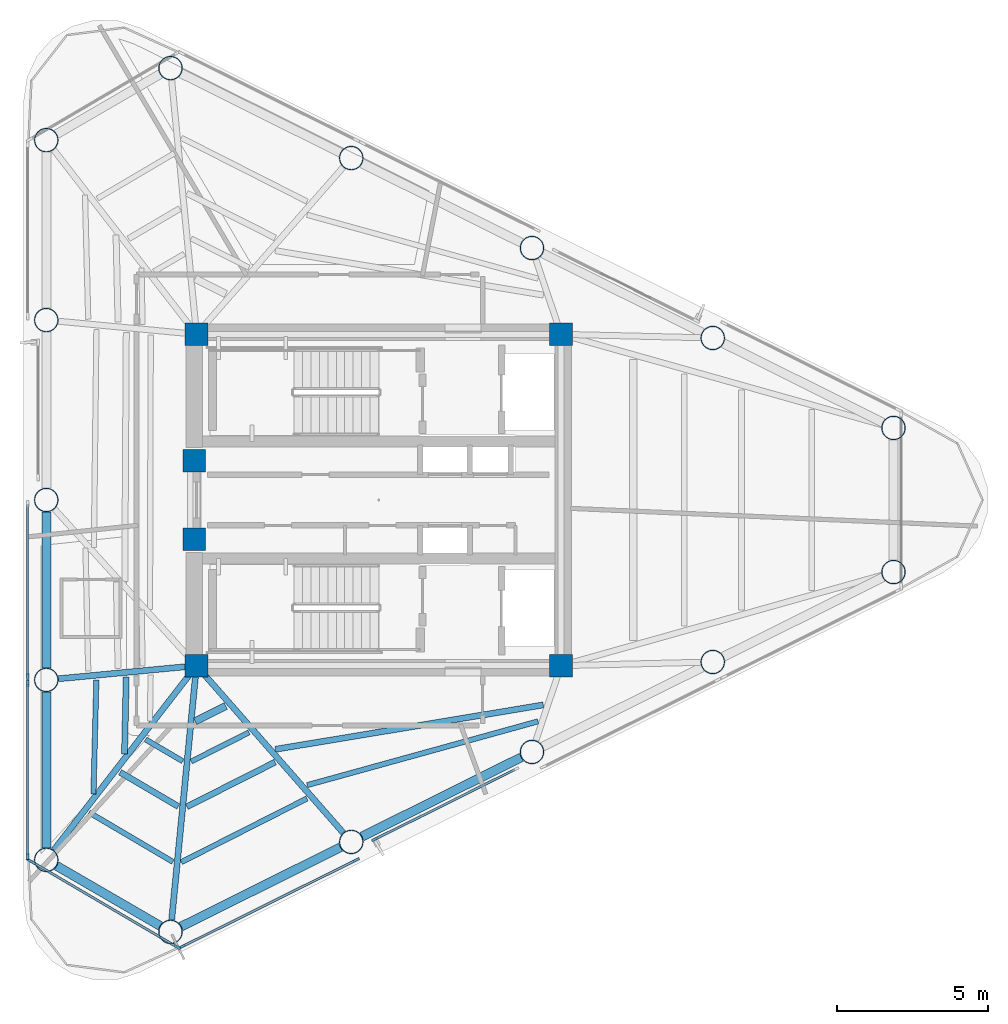
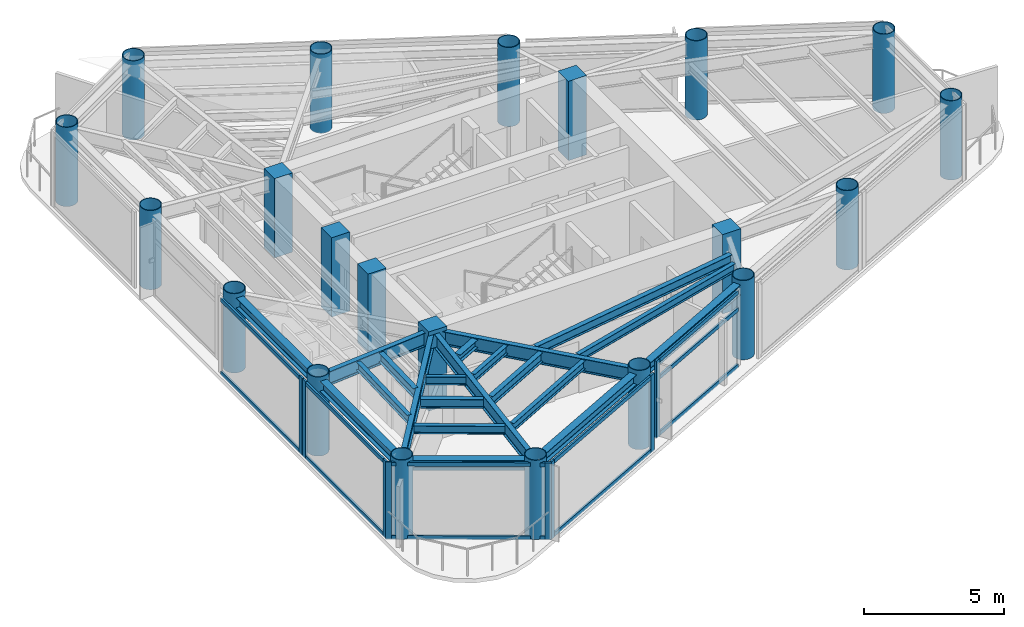
# One storey, part 1 of 10: 21 columns, 20 beams, 19 members, 5 elements without a shape of their own.
"""IFC4 building model written with IfcOpenShell, lengths in metres."""

from ifc_helpers import new_model, si_unit, direction, frame, origin, origin_2d, place, context, subcontext, project, spatial, rectangle, hollow_circle, i_section, extrude, source, transform, mapped, material, layer, layer_set, material_profile, profile_set, type_object, element, aggregate, save


model = new_model("IFC4")

# Units and contexts
model_context = context("Model", 3, precision=1e-05, world=origin(), true_north=direction((0.0, 1.0)))
body_context = subcontext(model_context, "Body", "Model", "MODEL_VIEW")
ifc_project = project(units=[si_unit("LENGTHUNIT", "METRE"), si_unit("AREAUNIT", "SQUARE_METRE"), si_unit("VOLUMEUNIT", "CUBIC_METRE"), si_unit("PLANEANGLEUNIT", "RADIAN"), si_unit("MASSUNIT", "GRAM", prefix="KILO")], contexts=[model_context])

# Site, building, storey
site_placement = place(None, origin())
site = spatial("IfcSite", under=ifc_project, at=site_placement, CompositionType="ELEMENT")
building_placement = place(site_placement, origin())
building = spatial("IfcBuilding", under=site, at=building_placement, Name="Yunling Apex Tower", CompositionType="ELEMENT")
storey_placement = place(building_placement, frame((0.0, 0.0, 310.550048828125)))
storey = spatial("IfcBuildingStorey", under=building, at=storey_placement, Name="L76", CompositionType="ELEMENT", Elevation=310.550048828125)

# Columns
ifc_material_1 = material(Name="Concrete C50", Category="concrete")
ifc_material_profile_1 = material_profile(ifc_material_1, rectangle(XDim=0.75, YDim=0.75, at=origin_2d()))
ifc_profile_set_1 = profile_set([ifc_material_profile_1], Name="Concrete C50")
column_type_1 = type_object("IfcColumnType", Name="PC-SRC-4", PredefinedType="COLUMN", material=ifc_profile_set_1)
shared_shape_1 = source(origin(), body_context, "Body", "SweptSolid", [
    extrude(rectangle(XDim=0.75, YDim=0.75, at=origin_2d()), origin(), (0.0, 0.0, 1.0), 3.449951171875),
])
for number, where, z_axis, x_axis, name in (
    (1, (-6.050048828125, -5.5, 0.0), (0.0, 0.0, 1.0), (1.0, 0.0, 0.0), "L76 Core Spine Column CC-SW"),
    (2, (6.050048828125, -5.5, 0.0), (0.0, 0.0, 1.0), (1.0, 0.0, 0.0), "L76 Core Spine Column CC-SE"),
    (3, (6.050048828125, 5.5, 0.0), (0.0, 0.0, 1.0), (1.0, 0.0, 0.0), "L76 Core Spine Column CC-NE"),
    (4, (-6.050048828125, 5.5, 0.0), (0.0, 0.0, 1.0), (1.0, 0.0, 0.0), "L76 Core Spine Column CC-NW"),
    (5, (-6.125, -1.300048828125, 0.0), (0.0, 0.0, 1.0), (1.0, 0.0, 0.0), "L76 Core West Portal Jamb Column S"),
    (6, (-6.125, 1.300048828125, 0.0), (0.0, 0.0, 1.0), (1.0, 0.0, 0.0), "L76 Core West Portal Jamb Column N"),
):
    element("IfcColumn", number, at=place(storey_placement, frame(where, z_axis=z_axis, x_axis=x_axis)), inside=storey, type_object=column_type_1, Name=name, PredefinedType="COLUMN", context=body_context, shape_type="MappedRepresentation", body=[
        mapped(shared_shape_1, transform((0.0, 0.0, 0.0), scale=1.0)),
    ])
ifc_material_2 = material(Name="Steel Q355B", Category="steel")
ifc_material_profile_2 = material_profile(ifc_material_2, hollow_circle(Radius=0.39990234375, WallThickness=0.028076171875, at=origin_2d()))
ifc_profile_set_2 = profile_set([ifc_material_profile_2], Name="Steel Q355B")
column_type_2 = type_object("IfcColumnType", Name="MC-CFST-7", PredefinedType="COLUMN", material=ifc_profile_set_2)
shared_shape_2 = source(origin(), body_context, "Body", "SweptSolid", [
    extrude(hollow_circle(Radius=0.39990234375, WallThickness=0.028076171875, at=origin_2d()), origin(), (0.0, 0.0, 1.0), 3.449951171875),
])
for number, where, z_axis, x_axis, name in (
    (7, (-6.9140625, -14.336669921875, 0.0), (0.0, 0.0, 1.0), (1.0, 0.0, 0.0), "L76 Perimeter CFST Mega-Column P01"),
    (8, (-0.913818359375, -11.350341796875, 0.0), (0.0, 0.0, 1.0), (1.0, 0.0, 0.0), "L76 Perimeter CFST Mega-Column P02"),
    (9, (5.086181640625, -8.364013671875, 0.0), (0.0, 0.0, 1.0), (1.0, 0.0, 0.0), "L76 Perimeter CFST Mega-Column P03"),
    (10, (11.08642578125, -5.377685546875, 0.0), (0.0, 0.0, 1.0), (1.0, 0.0, 0.0), "L76 Perimeter CFST Mega-Column P04"),
    (11, (17.086669921875, -2.3916015625, 0.0), (0.0, 0.0, 1.0), (1.0, 0.0, 0.0), "L76 Perimeter CFST Mega-Column P05"),
    (12, (17.086669921875, 2.3916015625, 0.0), (0.0, 0.0, 1.0), (1.0, 0.0, 0.0), "L76 Perimeter CFST Mega-Column P06"),
    (13, (11.08642578125, 5.377685546875, 0.0), (0.0, 0.0, 1.0), (1.0, 0.0, 0.0), "L76 Perimeter CFST Mega-Column P07"),
    (14, (5.086181640625, 8.364013671875, 0.0), (0.0, 0.0, 1.0), (1.0, 0.0, 0.0), "L76 Perimeter CFST Mega-Column P08"),
    (15, (-0.913818359375, 11.350341796875, 0.0), (0.0, 0.0, 1.0), (1.0, 0.0, 0.0), "L76 Perimeter CFST Mega-Column P09"),
    (16, (-6.9140625, 14.336669921875, 0.0), (0.0, 0.0, 1.0), (1.0, 0.0, 0.0), "L76 Perimeter CFST Mega-Column P10"),
    (17, (-11.037353515625, 11.9453125, 0.0), (0.0, 0.0, 1.0), (1.0, 0.0, 0.0), "L76 Perimeter CFST Mega-Column P11"),
    (18, (-11.037353515625, 5.97265625, 0.0), (0.0, 0.0, 1.0), (1.0, 0.0, 0.0), "L76 Perimeter CFST Mega-Column P12"),
    (19, (-11.037353515625, 0.0, 0.0), (0.0, 0.0, 1.0), (1.0, 0.0, 0.0), "L76 Perimeter CFST Mega-Column P13"),
    (20, (-11.037353515625, -5.97265625, 0.0), (0.0, 0.0, 1.0), (1.0, 0.0, 0.0), "L76 Perimeter CFST Mega-Column P14"),
    (21, (-11.037353515625, -11.9453125, 0.0), (0.0, 0.0, 1.0), (1.0, 0.0, 0.0), "L76 Perimeter CFST Mega-Column P15"),
):
    element("IfcColumn", number, at=place(storey_placement, frame(where, z_axis=z_axis, x_axis=x_axis)), inside=storey, type_object=column_type_2, Name=name, PredefinedType="COLUMN", context=body_context, shape_type="MappedRepresentation", body=[
        mapped(shared_shape_2, transform((0.0, 0.0, 0.0), scale=1.0)),
    ])

# Beams
ifc_material_profile_3 = material_profile(ifc_material_2, i_section(OverallWidth=0.300048828125, OverallDepth=0.43994140625, WebThickness=0.010986328125, FlangeThickness=0.01806640625, FilletRadius=0.02197265625, at=origin_2d()))
ifc_profile_set_3 = profile_set([ifc_material_profile_3], Name="Steel Q355B")
beam_type_1 = type_object("IfcBeamType", Name="BP-SPN-3", PredefinedType="SPANDREL", material=ifc_profile_set_3)
shared_shape_3 = source(origin(), body_context, "Body", "SweptSolid", [
    extrude(i_section(OverallWidth=0.300048828125, OverallDepth=0.43994140625, WebThickness=0.010986328125, FlangeThickness=0.01806640625, FilletRadius=0.02197265625, at=origin_2d()), origin(), (0.0, 0.0, 1.0), 5.914306640625),
])
for number, where, z_axis, x_axis, name in (
    (22, (-6.561279296875, -14.1611328125, 3.050048828125), (0.895243044542, 0.445578153861, 0.0), (-0.445578153861, 0.895243044542, 0.0), "L76 Perimeter Spandrel Beam 1"),
    (23, (-0.561279296875, -11.1748046875, 3.050048828125), (0.895267705164, 0.445528602999, 0.0), (-0.445528602999, 0.895267705164, 0.0), "L76 Perimeter Spandrel Beam 2"),
):
    element("IfcBeam", number, at=place(storey_placement, frame(where, z_axis=z_axis, x_axis=x_axis)), inside=storey, type_object=beam_type_1, Name=name, PredefinedType="SPANDREL", context=body_context, shape_type="MappedRepresentation", body=[
        mapped(shared_shape_3, transform((0.0, 0.0, 0.0), scale=1.0)),
    ])
shared_shape_4 = source(origin(), body_context, "Body", "SweptSolid", [
    extrude(i_section(OverallWidth=0.300048828125, OverallDepth=0.43994140625, WebThickness=0.010986328125, FlangeThickness=0.01806640625, FilletRadius=0.02197265625, at=origin_2d()), origin(), (0.0, 0.0, 1.0), 3.978515625),
])
beam_1_placement = place(storey_placement, frame((-10.696533203125, -12.142822265625, 3.050048828125), z_axis=(0.86503811344, -0.501706151343, 0.0), x_axis=(0.501706151343, 0.86503811344, 0.0)))
element("IfcBeam", 24, at=beam_1_placement, inside=storey, type_object=beam_type_1, Name="L76 Perimeter Spandrel Beam 15", PredefinedType="SPANDREL", context=body_context, shape_type="MappedRepresentation", body=[
    mapped(shared_shape_4, transform((0.0, 0.0, 0.0), scale=1.0)),
])
shared_shape_5 = source(origin(), body_context, "Body", "SweptSolid", [
    extrude(i_section(OverallWidth=0.300048828125, OverallDepth=0.43994140625, WebThickness=0.010986328125, FlangeThickness=0.01806640625, FilletRadius=0.02197265625, at=origin_2d()), origin(), (0.0, 0.0, 1.0), 5.1845703125),
])
for number, where, z_axis, x_axis, name in (
    (25, (-11.037353515625, -0.39404296875, 3.050048828125), (0.0, -1.0, 0.0), (1.0, 0.0, 0.0), "L76 Perimeter Spandrel Beam 13"),
    (26, (-11.037353515625, -6.36669921875, 3.050048828125), (0.0, -1.0, 0.0), (1.0, 0.0, 0.0), "L76 Perimeter Spandrel Beam 14"),
):
    element("IfcBeam", number, at=place(storey_placement, frame(where, z_axis=z_axis, x_axis=x_axis)), inside=storey, type_object=beam_type_1, Name=name, PredefinedType="SPANDREL", context=body_context, shape_type="MappedRepresentation", body=[
        mapped(shared_shape_5, transform((0.0, 0.0, 0.0), scale=1.0)),
    ])
ifc_material_profile_4 = material_profile(ifc_material_2, i_section(OverallWidth=0.199951171875, OverallDepth=0.60009765625, WebThickness=0.010986328125, FlangeThickness=0.01708984375, FilletRadius=0.02197265625, at=origin_2d()))
ifc_profile_set_4 = profile_set([ifc_material_profile_4], Name="Steel Q355B")
beam_type_2 = type_object("IfcBeamType", Name="BG-PRI-5", PredefinedType="USERDEFINED", material=ifc_profile_set_4)
shared_shape_6 = source(origin(), body_context, "Body", "SweptSolid", [
    extrude(i_section(OverallWidth=0.199951171875, OverallDepth=0.60009765625, WebThickness=0.010986328125, FlangeThickness=0.01708984375, FilletRadius=0.02197265625, at=origin_2d()), origin(), (0.0, 0.0, 1.0), 8.390869140625),
])
beam_2_placement = place(storey_placement, frame((-6.874267578125, -13.9306640625, 2.969970703125), z_axis=(0.097296792844, 0.995255411491, 0.0), x_axis=(-0.995255411491, 0.097296792844, 0.0)))
element("IfcBeam", 27, at=beam_2_placement, inside=storey, type_object=beam_type_2, Name="L76 Radial Primary Girder R01", ObjectType="GIRDER", PredefinedType="USERDEFINED", context=body_context, shape_type="MappedRepresentation", body=[
    mapped(shared_shape_6, transform((0.0, 0.0, 0.0), scale=1.0)),
])
shared_shape_7 = source(origin(), body_context, "Body", "SweptSolid", [
    extrude(i_section(OverallWidth=0.199951171875, OverallDepth=0.60009765625, WebThickness=0.010986328125, FlangeThickness=0.01708984375, FilletRadius=0.02197265625, at=origin_2d()), origin(), (0.0, 0.0, 1.0), 7.297119140625),
])
beam_3_placement = place(storey_placement, frame((-1.18310546875, -11.043701171875, 2.969970703125), z_axis=(-0.659747259747, 0.751487560281, 0.0), x_axis=(-0.751487560281, -0.659747259747, 0.0)))
element("IfcBeam", 28, at=beam_3_placement, inside=storey, type_object=beam_type_2, Name="L76 Radial Primary Girder R02", ObjectType="GIRDER", PredefinedType="USERDEFINED", context=body_context, shape_type="MappedRepresentation", body=[
    mapped(shared_shape_7, transform((0.0, 0.0, 0.0), scale=1.0)),
])
shared_shape_8 = source(origin(), body_context, "Body", "SweptSolid", [
    extrude(i_section(OverallWidth=0.199951171875, OverallDepth=0.60009765625, WebThickness=0.010986328125, FlangeThickness=0.01708984375, FilletRadius=0.02197265625, at=origin_2d()), origin(), (0.0, 0.0, 1.0), 7.661376953125),
])
beam_4_placement = place(storey_placement, frame((-10.78759765625, -11.62255859375, 2.969970703125), z_axis=(0.611959789037, 0.790888877531, 0.0), x_axis=(-0.790888877531, 0.611959789037, 0.0)))
element("IfcBeam", 29, at=beam_4_placement, inside=storey, type_object=beam_type_2, Name="L76 Radial Primary Girder R15", ObjectType="GIRDER", PredefinedType="USERDEFINED", context=body_context, shape_type="MappedRepresentation", body=[
    mapped(shared_shape_8, transform((0.0, 0.0, 0.0), scale=1.0)),
])
shared_shape_9 = source(origin(), body_context, "Body", "SweptSolid", [
    extrude(i_section(OverallWidth=0.199951171875, OverallDepth=0.60009765625, WebThickness=0.010986328125, FlangeThickness=0.01708984375, FilletRadius=0.02197265625, at=origin_2d()), origin(), (0.0, 0.0, 1.0), 4.521728515625),
])
beam_5_placement = place(storey_placement, frame((-10.631103515625, -5.93408203125, 2.969970703125), z_axis=(0.99554122067, 0.094327503661, 0.0), x_axis=(-0.094327503661, 0.99554122067, 0.0)))
element("IfcBeam", 30, at=beam_5_placement, inside=storey, type_object=beam_type_2, Name="L76 Radial Primary Girder R14", ObjectType="GIRDER", PredefinedType="USERDEFINED", context=body_context, shape_type="MappedRepresentation", body=[
    mapped(shared_shape_9, transform((0.0, 0.0, 0.0), scale=1.0)),
])
ifc_material_profile_5 = material_profile(ifc_material_2, i_section(OverallWidth=0.199951171875, OverallDepth=0.39990234375, WebThickness=0.008056640625, FlangeThickness=0.012939453125, FilletRadius=0.01611328125, at=origin_2d()))
ifc_profile_set_5 = profile_set([ifc_material_profile_5], Name="Steel Q355B")
beam_type_3 = type_object("IfcBeamType", Name="BS-SEC-4", PredefinedType="BEAM", material=ifc_profile_set_5)
shared_shape_10 = source(origin(), body_context, "Body", "SweptSolid", [
    extrude(i_section(OverallWidth=0.199951171875, OverallDepth=0.39990234375, WebThickness=0.008056640625, FlangeThickness=0.012939453125, FilletRadius=0.01611328125, at=origin_2d()), origin(), (0.0, 0.0, 1.0), 3.281494140625),
])
beam_6_placement = place(storey_placement, frame((-6.372314453125, -10.18408203125, 3.070068359375), z_axis=(0.892364297468, 0.451315810275, 0.0), x_axis=(-0.451315810275, 0.892364297468, 0.0)))
element("IfcBeam", 31, at=beam_6_placement, inside=storey, type_object=beam_type_3, Name="L76 Composite Floor Beam BS-1", PredefinedType="BEAM", context=body_context, shape_type="MappedRepresentation", body=[
    mapped(shared_shape_10, transform((0.0, 0.0, 0.0), scale=1.0)),
])
ifc_material_profile_6 = material_profile(ifc_material_2, i_section(OverallWidth=0.175048828125, OverallDepth=0.35009765625, WebThickness=0.007080078125, FlangeThickness=0.010986328125, FilletRadius=0.013916015625, at=origin_2d()))
ifc_profile_set_6 = profile_set([ifc_material_profile_6], Name="Steel Q355B")
beam_type_4 = type_object("IfcBeamType", Name="BJ-JST-1", PredefinedType="JOIST", material=ifc_profile_set_6)
shared_shape_11 = source(origin(), body_context, "Body", "SweptSolid", [
    extrude(i_section(OverallWidth=0.175048828125, OverallDepth=0.35009765625, WebThickness=0.007080078125, FlangeThickness=0.010986328125, FilletRadius=0.013916015625, at=origin_2d()), origin(), (0.0, 0.0, 1.0), 4.67138671875),
])
beam_7_placement = place(storey_placement, frame((-6.552001953125, -12.02099609375, 3.094970703125), z_axis=(0.892031280848, 0.45197366515, 0.0), x_axis=(-0.45197366515, 0.892031280848, 0.0)))
element("IfcBeam", 32, at=beam_7_placement, inside=storey, type_object=beam_type_4, Name="L76 Composite Floor Joist BJ1-1", PredefinedType="JOIST", context=body_context, shape_type="MappedRepresentation", body=[
    mapped(shared_shape_11, transform((0.0, 0.0, 0.0), scale=1.0)),
])
shared_shape_12 = source(origin(), body_context, "Body", "SweptSolid", [
    extrude(i_section(OverallWidth=0.175048828125, OverallDepth=0.35009765625, WebThickness=0.007080078125, FlangeThickness=0.010986328125, FilletRadius=0.013916015625, at=origin_2d()), origin(), (0.0, 0.0, 1.0), 2.143798828125),
])
beam_8_placement = place(storey_placement, frame((-6.22509765625, -8.680908203125, 3.094970703125), z_axis=(0.892941835578, 0.45017205408, 0.0), x_axis=(-0.45017205408, 0.892941835578, 0.0)))
element("IfcBeam", 33, at=beam_8_placement, inside=storey, type_object=beam_type_4, Name="L76 Composite Floor Joist BJ3-1", PredefinedType="JOIST", context=body_context, shape_type="MappedRepresentation", body=[
    mapped(shared_shape_12, transform((0.0, 0.0, 0.0), scale=1.0)),
])
ifc_material_profile_7 = material_profile(ifc_material_2, i_section(OverallWidth=0.25, OverallDepth=0.340087890625, WebThickness=0.009033203125, FlangeThickness=0.013916015625, FilletRadius=0.01806640625, at=origin_2d()))
ifc_profile_set_7 = profile_set([ifc_material_profile_7], Name="Steel Q355B")
beam_type_5 = type_object("IfcBeamType", Name="BJ-JST-2", PredefinedType="JOIST", material=ifc_profile_set_7)
shared_shape_13 = source(origin(), body_context, "Body", "SweptSolid", [
    extrude(i_section(OverallWidth=0.25, OverallDepth=0.340087890625, WebThickness=0.009033203125, FlangeThickness=0.013916015625, FilletRadius=0.01806640625, at=origin_2d()), origin(), (0.0, 0.0, 1.0), 1.1328125),
])
beam_9_placement = place(storey_placement, frame((-6.09423828125, -7.34521484375, 3.099853515625), z_axis=(0.894211562533, 0.447644592765, 0.0), x_axis=(-0.447644592765, 0.894211562533, 0.0)))
element("IfcBeam", 34, at=beam_9_placement, inside=storey, type_object=beam_type_5, Name="L76 Composite Floor Joist BJ2-1", PredefinedType="JOIST", context=body_context, shape_type="MappedRepresentation", body=[
    mapped(shared_shape_13, transform((0.0, 0.0, 0.0), scale=1.0)),
])
shared_shape_14 = source(origin(), body_context, "Body", "SweptSolid", [
    extrude(i_section(OverallWidth=0.199951171875, OverallDepth=0.39990234375, WebThickness=0.008056640625, FlangeThickness=0.012939453125, FilletRadius=0.01611328125, at=origin_2d()), origin(), (0.0, 0.0, 1.0), 9.01611328125),
])
beam_10_placement = place(storey_placement, frame((-3.432373046875, -8.27587890625, 3.070068359375), z_axis=(0.986561729833, 0.163388962996, 0.0), x_axis=(-0.163388962996, 0.986561729833, 0.0)))
element("IfcBeam", 35, at=beam_10_placement, inside=storey, type_object=beam_type_3, Name="L76 Composite Floor Beam BS-2", PredefinedType="BEAM", context=body_context, shape_type="MappedRepresentation", body=[
    mapped(shared_shape_14, transform((0.0, 0.0, 0.0), scale=1.0)),
])
shared_shape_15 = source(origin(), body_context, "Body", "SweptSolid", [
    extrude(i_section(OverallWidth=0.175048828125, OverallDepth=0.35009765625, WebThickness=0.007080078125, FlangeThickness=0.010986328125, FilletRadius=0.013916015625, at=origin_2d()), origin(), (0.0, 0.0, 1.0), 7.952392578125),
])
beam_11_placement = place(storey_placement, frame((-2.376708984375, -9.4658203125, 3.094970703125), z_axis=(0.963874198485, 0.266357897377, 0.0), x_axis=(-0.266357897377, 0.963874198485, 0.0)))
element("IfcBeam", 36, at=beam_11_placement, inside=storey, type_object=beam_type_4, Name="L76 Composite Floor Joist BJ1-2", PredefinedType="JOIST", context=body_context, shape_type="MappedRepresentation", body=[
    mapped(shared_shape_15, transform((0.0, 0.0, 0.0), scale=1.0)),
])
shared_shape_16 = source(origin(), body_context, "Body", "SweptSolid", [
    extrude(i_section(OverallWidth=0.199951171875, OverallDepth=0.39990234375, WebThickness=0.008056640625, FlangeThickness=0.012939453125, FilletRadius=0.01611328125, at=origin_2d()), origin(), (0.0, 0.0, 1.0), 2.552734375),
])
beam_12_placement = place(storey_placement, frame((-8.3837890625, -5.880859375, 3.070068359375), z_axis=(-0.021902331041, -0.999760115175, 0.0), x_axis=(0.999760115175, -0.021902331041, 0.0)))
element("IfcBeam", 37, at=beam_12_placement, inside=storey, type_object=beam_type_3, Name="L76 Composite Floor Beam BS-14", PredefinedType="BEAM", context=body_context, shape_type="MappedRepresentation", body=[
    mapped(shared_shape_16, transform((0.0, 0.0, 0.0), scale=1.0)),
])
shared_shape_17 = source(origin(), body_context, "Body", "SweptSolid", [
    extrude(i_section(OverallWidth=0.175048828125, OverallDepth=0.35009765625, WebThickness=0.007080078125, FlangeThickness=0.010986328125, FilletRadius=0.013916015625, at=origin_2d()), origin(), (0.0, 0.0, 1.0), 3.792724609375),
])
beam_13_placement = place(storey_placement, frame((-9.374755859375, -5.974609375, 3.094970703125), z_axis=(-0.02529776075, -0.999679960438, 0.0), x_axis=(0.999679960438, -0.02529776075, 0.0)))
element("IfcBeam", 38, at=beam_13_placement, inside=storey, type_object=beam_type_4, Name="L76 Composite Floor Joist BJ1-14", PredefinedType="JOIST", context=body_context, shape_type="MappedRepresentation", body=[
    mapped(shared_shape_17, transform((0.0, 0.0, 0.0), scale=1.0)),
])
shared_shape_18 = source(origin(), body_context, "Body", "SweptSolid", [
    extrude(i_section(OverallWidth=0.199951171875, OverallDepth=0.39990234375, WebThickness=0.008056640625, FlangeThickness=0.012939453125, FilletRadius=0.01611328125, at=origin_2d()), origin(), (0.0, 0.0, 1.0), 2.243408203125),
])
beam_14_placement = place(storey_placement, frame((-8.586669921875, -9.03759765625, 3.070068359375), z_axis=(0.861925822056, -0.507034394566, 0.0), x_axis=(0.507034394566, 0.861925822056, 0.0)))
element("IfcBeam", 39, at=beam_14_placement, inside=storey, type_object=beam_type_3, Name="L76 Composite Floor Beam BS-15", PredefinedType="BEAM", context=body_context, shape_type="MappedRepresentation", body=[
    mapped(shared_shape_18, transform((0.0, 0.0, 0.0), scale=1.0)),
])
shared_shape_19 = source(origin(), body_context, "Body", "SweptSolid", [
    extrude(i_section(OverallWidth=0.175048828125, OverallDepth=0.35009765625, WebThickness=0.007080078125, FlangeThickness=0.010986328125, FilletRadius=0.013916015625, at=origin_2d()), origin(), (0.0, 0.0, 1.0), 3.233642578125),
])
beam_15_placement = place(storey_placement, frame((-9.618408203125, -10.37060546875, 3.094970703125), z_axis=(0.861549665957, -0.507673293655, 0.0), x_axis=(0.507673293655, 0.861549665957, 0.0)))
element("IfcBeam", 40, at=beam_15_placement, inside=storey, type_object=beam_type_4, Name="L76 Composite Floor Joist BJ1-15", PredefinedType="JOIST", context=body_context, shape_type="MappedRepresentation", body=[
    mapped(shared_shape_19, transform((0.0, 0.0, 0.0), scale=1.0)),
])
shared_shape_20 = source(origin(), body_context, "Body", "SweptSolid", [
    extrude(i_section(OverallWidth=0.175048828125, OverallDepth=0.35009765625, WebThickness=0.007080078125, FlangeThickness=0.010986328125, FilletRadius=0.013916015625, at=origin_2d()), origin(), (0.0, 0.0, 1.0), 1.43359375),
])
beam_16_placement = place(storey_placement, frame((-7.74267578125, -7.94677734375, 3.094970703125), z_axis=(0.862559589494, -0.50595548675, 0.0), x_axis=(0.50595548675, 0.862559589494, 0.0)))
element("IfcBeam", 41, at=beam_16_placement, inside=storey, type_object=beam_type_4, Name="L76 Composite Floor Joist BJ3-15", PredefinedType="JOIST", context=body_context, shape_type="MappedRepresentation", body=[
    mapped(shared_shape_20, transform((0.0, 0.0, 0.0), scale=1.0)),
])

# Curtain wall, members
ifc_material_3 = material(Name="Bronze anodised aluminium", Category="aluminium")
ifc_layer = layer(ifc_material_3, 0.219970703125)
ifc_layer_set = layer_set([ifc_layer], Name="Bronze anodised aluminium")
curtain_wall_type = type_object("IfcCurtainWallType", Name="CW-SYS-4", PredefinedType="NOTDEFINED", material=ifc_layer_set)
curtain_wall_1_placement = place(storey_placement, origin())
curtain_wall_1 = element("IfcCurtainWall", 42, at=curtain_wall_1_placement, inside=storey, type_object=curtain_wall_type, Name="CW-L76-F1-B1", PredefinedType="NOTDEFINED")
ifc_material_profile_8 = material_profile(ifc_material_3, rectangle(XDim=0.080078125, YDim=0.169921875, at=origin_2d()))
ifc_profile_set_8 = profile_set([ifc_material_profile_8], Name="Bronze anodised aluminium")
member_type_1 = type_object("IfcMemberType", Name="CW-TRN-4", PredefinedType="USERDEFINED", material=ifc_profile_set_8)
shared_shape_21 = source(origin(), body_context, "Body", "SweptSolid", [
    extrude(rectangle(XDim=0.080078125, YDim=0.169921875, at=origin_2d()), origin(), (0.0, 0.0, 1.0), 6.39013671875),
])
member_1_placement = place(storey_placement, frame((-6.50244140625, -14.813232421875, 0.0400390625), z_axis=(0.89525092504, 0.445562320238, 0.0), x_axis=(-0.445562320238, 0.89525092504, 0.0)))
member_1 = element("IfcMember", 43, at=member_1_placement, type_object=member_type_1, Name="CW-SYS-4 transom 1.1", ObjectType="TRANSOM", PredefinedType="USERDEFINED", context=body_context, shape_type="MappedRepresentation", body=[
    mapped(shared_shape_21, transform((0.0, 0.0, 0.0), scale=1.0)),
])
member_2_placement = place(storey_placement, frame((-6.50244140625, -14.813232421875, 3.22998046875), z_axis=(0.89525092504, 0.445562320238, 0.0), x_axis=(-0.445562320238, 0.89525092504, 0.0)))
member_2 = element("IfcMember", 44, at=member_2_placement, type_object=member_type_1, Name="CW-SYS-4 transom 1.2", ObjectType="TRANSOM", PredefinedType="USERDEFINED", context=body_context, shape_type="MappedRepresentation", body=[
    mapped(shared_shape_21, transform((0.0, 0.0, 0.0), scale=1.0)),
])

curtain_wall_2_placement = place(storey_placement, origin())
curtain_wall_2 = element("IfcCurtainWall", 45, at=curtain_wall_2_placement, inside=storey, type_object=curtain_wall_type, Name="CW-L76-F1-B2", PredefinedType="NOTDEFINED")
shared_shape_22 = source(origin(), body_context, "Body", "SweptSolid", [
    extrude(rectangle(XDim=0.080078125, YDim=0.169921875, at=origin_2d()), origin(), (0.0, 0.0, 1.0), 5.150390625),
])
member_3_placement = place(storey_placement, frame((-0.098876953125, -11.246337890625, 0.0400390625), z_axis=(0.895259933779, 0.445544218871, 0.0), x_axis=(-0.445544218871, 0.895259933779, 0.0)))
member_3 = element("IfcMember", 46, at=member_3_placement, type_object=member_type_1, Name="CW-SYS-4 transom 1.1", ObjectType="TRANSOM", PredefinedType="USERDEFINED", context=body_context, shape_type="MappedRepresentation", body=[
    mapped(shared_shape_22, transform((0.0, 0.0, 0.0), scale=1.0)),
])
member_4_placement = place(storey_placement, frame((-0.098876953125, -11.246337890625, 2.485107421875), z_axis=(0.895259933779, 0.445544218871, 0.0), x_axis=(-0.445544218871, 0.895259933779, 0.0)))
member_4 = element("IfcMember", 47, at=member_4_placement, type_object=member_type_1, Name="CW-SYS-4 transom 1.2", ObjectType="TRANSOM", PredefinedType="USERDEFINED", context=body_context, shape_type="MappedRepresentation", body=[
    mapped(shared_shape_22, transform((0.0, 0.0, 0.0), scale=1.0)),
])
member_5_placement = place(storey_placement, frame((-0.098876953125, -11.246337890625, 3.22998046875), z_axis=(0.895259933779, 0.445544218871, 0.0), x_axis=(-0.445544218871, 0.895259933779, 0.0)))
member_5 = element("IfcMember", 48, at=member_5_placement, type_object=member_type_1, Name="CW-SYS-4 transom 1.3", ObjectType="TRANSOM", PredefinedType="USERDEFINED", context=body_context, shape_type="MappedRepresentation", body=[
    mapped(shared_shape_22, transform((0.0, 0.0, 0.0), scale=1.0)),
])

curtain_wall_3_placement = place(storey_placement, origin())
curtain_wall_3 = element("IfcCurtainWall", 49, at=curtain_wall_3_placement, inside=storey, type_object=curtain_wall_type, Name="CW-L76-CRN3", PredefinedType="NOTDEFINED")
shared_shape_23 = source(origin(), body_context, "Body", "SweptSolid", [
    extrude(rectangle(XDim=0.080078125, YDim=0.169921875, at=origin_2d()), origin(), (0.0, 0.0, 1.0), 5.61767578125),
])
member_6_placement = place(storey_placement, frame((-11.561767578125, -11.983642578125, 0.0400390625), z_axis=(0.862486715055, -0.506079703558, 0.0), x_axis=(0.506079703558, 0.862486715055, 0.0)))
member_6 = element("IfcMember", 50, at=member_6_placement, type_object=member_type_1, Name="CW-SYS-4 transom 1.1", ObjectType="TRANSOM", PredefinedType="USERDEFINED", context=body_context, shape_type="MappedRepresentation", body=[
    mapped(shared_shape_23, transform((0.0, 0.0, 0.0), scale=1.0)),
])
member_7_placement = place(storey_placement, frame((-11.561767578125, -11.983642578125, 3.22998046875), z_axis=(0.862486715055, -0.506079703558, 0.0), x_axis=(0.506079703558, 0.862486715055, 0.0)))
member_7 = element("IfcMember", 51, at=member_7_placement, type_object=member_type_1, Name="CW-SYS-4 transom 1.2", ObjectType="TRANSOM", PredefinedType="USERDEFINED", context=body_context, shape_type="MappedRepresentation", body=[
    mapped(shared_shape_23, transform((0.0, 0.0, 0.0), scale=1.0)),
])

curtain_wall_4_placement = place(storey_placement, origin())
curtain_wall_4 = element("IfcCurtainWall", 52, at=curtain_wall_4_placement, inside=storey, type_object=curtain_wall_type, Name="CW-L76-F3-B3", PredefinedType="NOTDEFINED")
shared_shape_24 = source(origin(), body_context, "Body", "SweptSolid", [
    extrude(rectangle(XDim=0.080078125, YDim=0.169921875, at=origin_2d()), origin(), (0.0, 0.0, 1.0), 5.66064453125),
])
member_8_placement = place(storey_placement, frame((-11.647216796875, -0.156005859375, 0.0400390625), z_axis=(0.0, -1.0, 0.0), x_axis=(1.0, 0.0, 0.0)))
member_8 = element("IfcMember", 53, at=member_8_placement, type_object=member_type_1, Name="CW-SYS-4 transom 1.1", ObjectType="TRANSOM", PredefinedType="USERDEFINED", context=body_context, shape_type="MappedRepresentation", body=[
    mapped(shared_shape_24, transform((0.0, 0.0, 0.0), scale=1.0)),
])
member_9_placement = place(storey_placement, frame((-11.647216796875, -0.156005859375, 3.22998046875), z_axis=(0.0, -1.0, 0.0), x_axis=(1.0, 0.0, 0.0)))
member_9 = element("IfcMember", 54, at=member_9_placement, type_object=member_type_1, Name="CW-SYS-4 transom 1.2", ObjectType="TRANSOM", PredefinedType="USERDEFINED", context=body_context, shape_type="MappedRepresentation", body=[
    mapped(shared_shape_24, transform((0.0, 0.0, 0.0), scale=1.0)),
])

curtain_wall_5_placement = place(storey_placement, origin())
curtain_wall_5 = element("IfcCurtainWall", 55, at=curtain_wall_5_placement, inside=storey, type_object=curtain_wall_type, Name="CW-L76-F3-B4", PredefinedType="NOTDEFINED")
member_10_placement = place(storey_placement, frame((-11.647216796875, -6.128662109375, 0.0400390625), z_axis=(0.0, -1.0, 0.0), x_axis=(1.0, 0.0, 0.0)))
member_10 = element("IfcMember", 56, at=member_10_placement, type_object=member_type_1, Name="CW-SYS-4 transom 1.1", ObjectType="TRANSOM", PredefinedType="USERDEFINED", context=body_context, shape_type="MappedRepresentation", body=[
    mapped(shared_shape_24, transform((0.0, 0.0, 0.0), scale=1.0)),
])
member_11_placement = place(storey_placement, frame((-11.647216796875, -6.128662109375, 3.22998046875), z_axis=(0.0, -1.0, 0.0), x_axis=(1.0, 0.0, 0.0)))
member_11 = element("IfcMember", 57, at=member_11_placement, type_object=member_type_1, Name="CW-SYS-4 transom 1.2", ObjectType="TRANSOM", PredefinedType="USERDEFINED", context=body_context, shape_type="MappedRepresentation", body=[
    mapped(shared_shape_24, transform((0.0, 0.0, 0.0), scale=1.0)),
])

# Member
ifc_material_profile_9 = material_profile(ifc_material_3, rectangle(XDim=0.080078125, YDim=0.219970703125, at=origin_2d()))
ifc_profile_set_9 = profile_set([ifc_material_profile_9], Name="Bronze anodised aluminium")
member_type_2 = type_object("IfcMemberType", Name="CW-MUL-4", PredefinedType="MULLION", material=ifc_profile_set_9)
shared_shape_25 = source(origin(), body_context, "Body", "SweptSolid", [
    extrude(rectangle(XDim=0.080078125, YDim=0.219970703125, at=origin_2d()), origin(), (0.0, 0.0, 1.0), 3.3701171875),
])
member_12_placement = place(storey_placement, frame((-6.534912109375, -14.829345703125, -0.050048828125), z_axis=(0.0, 0.0, 1.0), x_axis=(-0.445568135078, 0.895248030996, 0.0)))
member_12 = element("IfcMember", 58, at=member_12_placement, type_object=member_type_2, Name="CW-SYS-4 mullion 1", PredefinedType="MULLION", context=body_context, shape_type="MappedRepresentation", body=[
    mapped(shared_shape_25, transform((0.0, 0.0, 0.0), scale=1.0)),
])

member_13_placement = place(storey_placement, frame((-0.74951171875, -11.949951171875, -0.050048828125), z_axis=(0.0, 0.0, 1.0), x_axis=(-0.445568135078, 0.895248030996, 0.0)))
member_13 = element("IfcMember", 59, at=member_13_placement, type_object=member_type_2, Name="CW-SYS-4 mullion 2", PredefinedType="MULLION", context=body_context, shape_type="MappedRepresentation", body=[
    mapped(shared_shape_25, transform((0.0, 0.0, 0.0), scale=1.0)),
])

aggregate(curtain_wall_1, [member_12, member_13, member_1, member_2])

member_14_placement = place(storey_placement, frame((-0.131103515625, -11.262451171875, -0.050048828125), z_axis=(0.0, 0.0, 1.0), x_axis=(-0.445560721723, 0.895251720611, 0.0)))
member_14 = element("IfcMember", 60, at=member_14_placement, type_object=member_type_2, Name="CW-SYS-4 mullion 1", PredefinedType="MULLION", context=body_context, shape_type="MappedRepresentation", body=[
    mapped(shared_shape_25, transform((0.0, 0.0, 0.0), scale=1.0)),
])

aggregate(curtain_wall_2, [member_14, member_3, member_4, member_5])

member_15_placement = place(storey_placement, frame((-11.647216796875, -5.8525390625, -0.050048828125), z_axis=(0.0, 0.0, 1.0), x_axis=(1.0, 0.0, 0.0)))
member_15 = element("IfcMember", 61, at=member_15_placement, type_object=member_type_2, Name="CW-SYS-4 mullion 2", PredefinedType="MULLION", context=body_context, shape_type="MappedRepresentation", body=[
    mapped(shared_shape_25, transform((0.0, 0.0, 0.0), scale=1.0)),
])

aggregate(curtain_wall_4, [member_15, member_8, member_9])

member_16_placement = place(storey_placement, frame((-11.647216796875, -6.092529296875, -0.050048828125), z_axis=(0.0, 0.0, 1.0), x_axis=(1.0, 0.0, 0.0)))
member_16 = element("IfcMember", 62, at=member_16_placement, type_object=member_type_2, Name="CW-SYS-4 mullion 1", PredefinedType="MULLION", context=body_context, shape_type="MappedRepresentation", body=[
    mapped(shared_shape_25, transform((0.0, 0.0, 0.0), scale=1.0)),
])

member_17_placement = place(storey_placement, frame((-11.647216796875, -11.8251953125, -0.050048828125), z_axis=(0.0, 0.0, 1.0), x_axis=(1.0, 0.0, 0.0)))
member_17 = element("IfcMember", 63, at=member_17_placement, type_object=member_type_2, Name="CW-SYS-4 mullion 2", PredefinedType="MULLION", context=body_context, shape_type="MappedRepresentation", body=[
    mapped(shared_shape_25, transform((0.0, 0.0, 0.0), scale=1.0)),
])

aggregate(curtain_wall_5, [member_16, member_17, member_10, member_11])

member_18_placement = place(storey_placement, frame((-11.5927734375, -11.96533203125, -0.050048828125), z_axis=(0.0, 0.0, 1.0), x_axis=(0.506069970256, 0.862492426173, 0.0)))
member_18 = element("IfcMember", 64, at=member_18_placement, type_object=member_type_2, Name="CW-SYS-4 mullion 1", PredefinedType="MULLION", context=body_context, shape_type="MappedRepresentation", body=[
    mapped(shared_shape_25, transform((0.0, 0.0, 0.0), scale=1.0)),
])

member_19_placement = place(storey_placement, frame((-6.685546875, -14.8447265625, -0.050048828125), z_axis=(0.0, 0.0, 1.0), x_axis=(0.506069970256, 0.862492426173, 0.0)))
member_19 = element("IfcMember", 65, at=member_19_placement, type_object=member_type_2, Name="CW-SYS-4 mullion 2", PredefinedType="MULLION", context=body_context, shape_type="MappedRepresentation", body=[
    mapped(shared_shape_25, transform((0.0, 0.0, 0.0), scale=1.0)),
])

aggregate(curtain_wall_3, [member_18, member_19, member_6, member_7])

save(model, "model.ifc")
